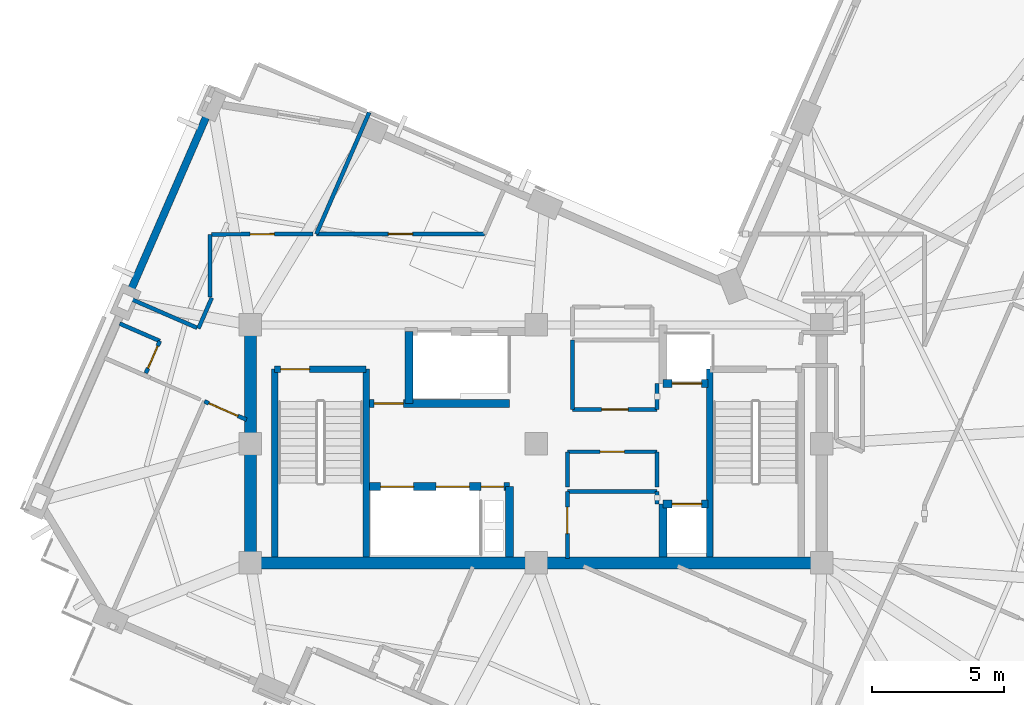
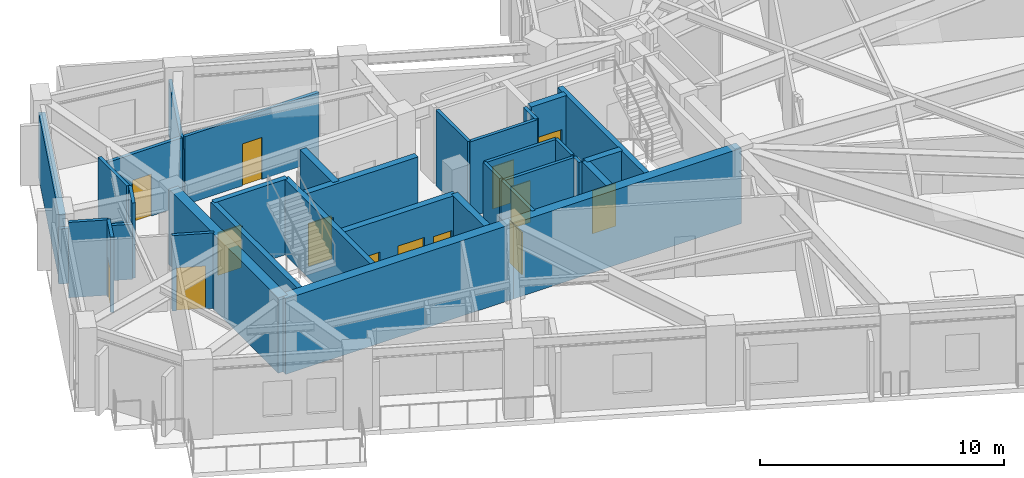
# One storey, part 5 of 12: 33 walls, 14 doors, 14 openings.
"""IFC4 building model written with IfcOpenShell, lengths in metres."""

from ifc_helpers import new_model, si_unit, direction, frame, frame_2d, origin, place, context, subcontext, project, spatial, rectangle, extrude, material, layer, layer_set, type_object, element, fill, save


model = new_model("IFC4")

# Units and contexts
model_context = context("Model", 3, precision=1e-05, world=origin(), true_north=direction((0.0, 1.0)))
body_context = subcontext(model_context, "Body", "Model", "MODEL_VIEW")
ifc_project = project(units=[si_unit("LENGTHUNIT", "METRE"), si_unit("AREAUNIT", "SQUARE_METRE"), si_unit("VOLUMEUNIT", "CUBIC_METRE"), si_unit("PLANEANGLEUNIT", "RADIAN"), si_unit("MASSUNIT", "GRAM", prefix="KILO")], contexts=[model_context])

# Site, building, storey
site_placement = place(None, origin())
site = spatial("IfcSite", under=ifc_project, at=site_placement, CompositionType="ELEMENT")
building_placement = place(site_placement, origin())
building = spatial("IfcBuilding", under=site, at=building_placement, Name="Gaonmaruhae Medical Tower", CompositionType="ELEMENT")
storey_placement = place(building_placement, frame((0.0, 0.0, 316.60009765625)))
storey = spatial("IfcBuildingStorey", under=building, at=storey_placement, Name="L76", CompositionType="ELEMENT", Elevation=316.60009765625)

# Walls
ifc_material_1 = material(Name="Concrete C50/60", Category="concrete")
ifc_layer_1 = layer(ifc_material_1, 0.449951171875)
ifc_layer_set_1 = layer_set([ifc_layer_1], Name="Concrete C50/60")
wall_type_1 = type_object("IfcWallType", Name="CW-450 Upper Core Shear Wall", PredefinedType="SHEAR", material=ifc_layer_set_1)
for number, where, z_axis, x_axis, name in (
    (1, (14.0, 7.800048828125, 0.0), (0.0, 0.0, 1.0), (1.0, 0.0, 0.0), "L76 Core Shear Wall CSW-S1"),
    (2, (24.800048828125, 7.800048828125, 0.0), (0.0, 0.0, 1.0), (1.0, 0.0, 0.0), "L76 Core Shear Wall CSW-S2"),
):
    element("IfcWall", number, at=place(storey_placement, frame(where, z_axis=z_axis, x_axis=x_axis)), inside=storey, type_object=wall_type_1, Name=name, PredefinedType="SHEAR", context=body_context, shape_type="SweptSolid", body=[
        extrude(rectangle(XDim=10.800048828125, YDim=0.449951171875, at=frame_2d((5.39990234375, 0.0))), origin(), (0.0, 0.0, 1.0), 3.77978515625),
    ])
wall_1_placement = place(storey_placement, frame((14.0, 16.800048828125, 0.0), z_axis=(0.0, 0.0, 1.0), x_axis=(0.0, -1.0, 0.0)))
element("IfcWall", 3, at=wall_1_placement, inside=storey, type_object=wall_type_1, Name="L76 Core Shear Wall CSW-W1", PredefinedType="SHEAR", context=body_context, shape_type="SweptSolid", body=[
    extrude(rectangle(XDim=9.0, YDim=0.449951171875, at=frame_2d((4.5, 0.0))), origin(), (0.0, 0.0, 1.0), 3.77978515625),
])
ifc_material_2 = material(Name="Precast concrete C45/55", Category="concrete")
ifc_layer_2 = layer(ifc_material_2, 0.280029296875)
ifc_layer_set_2 = layer_set([ifc_layer_2], Name="Precast concrete C45/55")
wall_type_2 = type_object("IfcWallType", Name="EW-280 Upper Precast Masonry-Frame Facade Wall", PredefinedType="SOLIDWALL", material=ifc_layer_set_2)
wall_2_placement = place(storey_placement, frame((9.44189453125, 18.01806640625, 0.0), z_axis=(0.0, 0.0, 1.0), x_axis=(0.398768305896, 0.917051709672, 0.0)))
element("IfcWall", 4, at=wall_2_placement, inside=storey, type_object=wall_type_2, Name="L76 Precast Masonry-Frame Wall N01-N02", PredefinedType="SOLIDWALL", context=body_context, shape_type="SweptSolid", body=[
    extrude(rectangle(XDim=7.405029296875, YDim=0.280029296875, at=frame_2d((3.70263671875, 0.0))), origin(), (0.0, 0.0, 1.0), 3.264892578125),
])

# Wall, opening, door
ifc_material_3 = material(Name="Gypsum board partition", Category="gypsum")
ifc_layer_3 = layer(ifc_material_3, 0.14990234375)
ifc_layer_set_3 = layer_set([ifc_layer_3], Name="Gypsum board partition")
wall_type_3 = type_object("IfcWallType", Name="PW-150 Rated Clinical Corridor Partition", PredefinedType="PARTITIONING", material=ifc_layer_set_3)
wall_3_placement = place(storey_placement, frame((25.97998046875, 7.9599609375, 0.0), z_axis=(0.0, 0.0, 1.0), x_axis=(0.0, 1.0, 0.0)))
wall_3 = element("IfcWall", 5, at=wall_3_placement, inside=storey, type_object=wall_type_3, Name="L76 Interior Partition L76-RCL1-1", PredefinedType="PARTITIONING", context=body_context, shape_type="SweptSolid", body=[
    extrude(rectangle(XDim=2.5400390625, YDim=0.14990234375, at=frame_2d((1.27001953125, 0.0))), origin(), (0.0, 0.0, 1.0), 3.77978515625),
])
opening_1_placement = place(wall_3_placement, frame((0.945068359375, 0.0, 0.0)))
opening_1 = element("IfcOpeningElement", 6, at=opening_1_placement, cuts=wall_3, Name="Opening CD-01", PredefinedType="OPENING", context=body_context, shape_type="SweptSolid", body=[
    extrude(rectangle(XDim=1.0, YDim=2.1201171875, at=frame_2d((0.5, 1.06005859375))), frame((0.0, 0.0849609375, 0.0), z_axis=(0.0, -1.0, 0.0), x_axis=(1.0, 0.0, 0.0)), (0.0, 0.0, 1.0), 0.169921875),
])
ifc_material_4 = material(Name="Antimicrobial laminate timber fire door", Category="wood")
door_type_1 = type_object("IfcDoorType", Name="CD-01 Consultation & Physician Office Door 1000x2120", OperationType="NOTDEFINED", PredefinedType="DOOR", material=ifc_material_4)
door_1_placement = place(opening_1_placement, origin())
door_1 = element("IfcDoor", 7, at=door_1_placement, inside=storey, type_object=door_type_1, Name="L76 Clinical Telemetry and Medication Room Door", OperationType="SINGLE_SWING_RIGHT", OverallHeight=2.1201171875, OverallWidth=1.0, PredefinedType="DOOR", context=body_context, shape_type="SweptSolid", body=[
    extrude(rectangle(XDim=1.0, YDim=2.1201171875, at=frame_2d((0.5, 1.06005859375))), frame((0.0, 0.02490234375, 0.0), z_axis=(0.0, -1.0, 0.0), x_axis=(1.0, 0.0, 0.0)), (0.0, 0.0, 1.0), 0.050048828125),
])
fill(opening_1, door_1)

# Walls
wall_4_placement = place(storey_placement, frame((25.97998046875, 10.5, 0.0), z_axis=(0.0, 0.0, 1.0), x_axis=(1.0, 0.0, 0.0)))
element("IfcWall", 8, at=wall_4_placement, inside=storey, type_object=wall_type_3, Name="L76 Interior Partition L76-RCL1-2", PredefinedType="PARTITIONING", context=body_context, shape_type="SweptSolid", body=[
    extrude(rectangle(XDim=3.39990234375, YDim=0.14990234375, at=frame_2d((1.699951171875, 0.0))), origin(), (0.0, 0.0, 1.0), 3.77978515625),
])
wall_5_placement = place(storey_placement, frame((29.3798828125, 10.5, 0.0), z_axis=(0.0, 0.0, 1.0), x_axis=(0.0, -1.0, 0.0)))
element("IfcWall", 9, at=wall_5_placement, inside=storey, type_object=wall_type_3, Name="L76 Interior Partition L76-RCL1-3", PredefinedType="PARTITIONING", context=body_context, shape_type="SweptSolid", body=[
    extrude(rectangle(XDim=0.47998046875, YDim=0.14990234375, at=frame_2d((0.239990234375, 0.0))), origin(), (0.0, 0.0, 1.0), 3.77978515625),
])
wall_6_placement = place(storey_placement, frame((25.97998046875, 10.659912109375, 0.0), z_axis=(0.0, 0.0, 1.0), x_axis=(0.0, 1.0, 0.0)))
element("IfcWall", 10, at=wall_6_placement, inside=storey, type_object=wall_type_3, Name="L76 Interior Partition L76-CS1-4", PredefinedType="PARTITIONING", context=body_context, shape_type="SweptSolid", body=[
    extrude(rectangle(XDim=1.340087890625, YDim=0.14990234375, at=frame_2d((0.669921875, 0.0))), origin(), (0.0, 0.0, 1.0), 3.77978515625),
])

# Wall, opening, door
wall_7_placement = place(storey_placement, frame((25.97998046875, 12.0, 0.0), z_axis=(0.0, 0.0, 1.0), x_axis=(1.0, 0.0, 0.0)))
wall_7 = element("IfcWall", 11, at=wall_7_placement, inside=storey, type_object=wall_type_3, Name="L76 Interior Partition L76-CS1-5", PredefinedType="PARTITIONING", context=body_context, shape_type="SweptSolid", body=[
    extrude(rectangle(XDim=3.39990234375, YDim=0.14990234375, at=frame_2d((1.699951171875, 0.0))), origin(), (0.0, 0.0, 1.0), 3.77978515625),
])
opening_2_placement = place(wall_7_placement, frame((1.239990234375, 0.0, 0.0)))
opening_2 = element("IfcOpeningElement", 12, at=opening_2_placement, cuts=wall_7, Name="Opening UD-01", PredefinedType="OPENING", context=body_context, shape_type="SweptSolid", body=[
    extrude(rectangle(XDim=0.919921875, YDim=2.10009765625, at=frame_2d((0.4599609375, 1.050048828125))), frame((0.0, 0.0849609375, 0.0), z_axis=(0.0, -1.0, 0.0), x_axis=(1.0, 0.0, 0.0)), (0.0, 0.0, 1.0), 0.169921875),
])
ifc_material_5 = material(Name="Powder-coated steel utility door", Category="steel")
door_type_2 = type_object("IfcDoorType", Name="UD-01 Toilet, Utility & Housekeeping Door 920x2100", OperationType="NOTDEFINED", PredefinedType="DOOR", material=ifc_material_5)
door_2_placement = place(opening_2_placement, origin())
door_2 = element("IfcDoor", 13, at=door_2_placement, inside=storey, type_object=door_type_2, Name="L76 Accessible Staff Toilet Door", OperationType="SINGLE_SWING_LEFT", OverallHeight=2.10009765625, OverallWidth=0.919921875, PredefinedType="DOOR", context=body_context, shape_type="SweptSolid", body=[
    extrude(rectangle(XDim=0.919921875, YDim=2.10009765625, at=frame_2d((0.4599609375, 1.050048828125))), frame((0.0, 0.02490234375, 0.0), z_axis=(0.0, -1.0, 0.0), x_axis=(1.0, 0.0, 0.0)), (0.0, 0.0, 1.0), 0.050048828125),
])
fill(opening_2, door_2)

# Walls
wall_8_placement = place(storey_placement, frame((29.3798828125, 12.0, 0.0), z_axis=(0.0, 0.0, 1.0), x_axis=(0.0, -1.0, 0.0)))
element("IfcWall", 14, at=wall_8_placement, inside=storey, type_object=wall_type_3, Name="L76 Interior Partition L76-CS1-6", PredefinedType="PARTITIONING", context=body_context, shape_type="SweptSolid", body=[
    extrude(rectangle(XDim=1.340087890625, YDim=0.14990234375, at=frame_2d((0.669921875, 0.0))), origin(), (0.0, 0.0, 1.0), 3.77978515625),
])
wall_9_placement = place(storey_placement, frame((26.179931640625, 13.60009765625, 0.0), z_axis=(0.0, 0.0, 1.0), x_axis=(0.0, 1.0, 0.0)))
element("IfcWall", 15, at=wall_9_placement, inside=storey, type_object=wall_type_3, Name="L76 Interior Partition L76-RCL2-7", PredefinedType="PARTITIONING", context=body_context, shape_type="SweptSolid", body=[
    extrude(rectangle(XDim=2.619873046875, YDim=0.14990234375, at=frame_2d((1.31005859375, 0.0))), origin(), (0.0, 0.0, 1.0), 3.77978515625),
])
wall_10_placement = place(storey_placement, frame((29.3798828125, 14.580078125, 0.0), z_axis=(0.0, 0.0, 1.0), x_axis=(0.0, -1.0, 0.0)))
element("IfcWall", 16, at=wall_10_placement, inside=storey, type_object=wall_type_3, Name="L76 Interior Partition L76-RCL2-9", PredefinedType="PARTITIONING", context=body_context, shape_type="SweptSolid", body=[
    extrude(rectangle(XDim=0.97998046875, YDim=0.14990234375, at=frame_2d((0.489990234375, 0.0))), origin(), (0.0, 0.0, 1.0), 3.77978515625),
])

# Wall, opening, door
wall_11_placement = place(storey_placement, frame((29.3798828125, 13.60009765625, 0.0), z_axis=(0.0, 0.0, 1.0), x_axis=(-1.0, 0.0, 0.0)))
wall_11 = element("IfcWall", 17, at=wall_11_placement, inside=storey, type_object=wall_type_3, Name="L76 Interior Partition L76-RCL2-10", PredefinedType="PARTITIONING", context=body_context, shape_type="SweptSolid", body=[
    extrude(rectangle(XDim=3.199951171875, YDim=0.14990234375, at=frame_2d((1.60009765625, 0.0))), origin(), (0.0, 0.0, 1.0), 3.77978515625),
])
opening_3_placement = place(wall_11_placement, frame((1.10009765625, 0.0, 0.0)))
opening_3 = element("IfcOpeningElement", 18, at=opening_3_placement, cuts=wall_11, Name="Opening CD-01", PredefinedType="OPENING", context=body_context, shape_type="SweptSolid", body=[
    extrude(rectangle(XDim=1.0, YDim=2.1201171875, at=frame_2d((0.5, 1.06005859375))), frame((0.0, 0.0849609375, 0.0), z_axis=(0.0, -1.0, 0.0), x_axis=(1.0, 0.0, 0.0)), (0.0, 0.0, 1.0), 0.169921875),
])
door_3_placement = place(opening_3_placement, origin())
door_3 = element("IfcDoor", 19, at=door_3_placement, inside=storey, type_object=door_type_1, Name="L76 High-Zone Specialist Pharmacy Prep Room Door", OperationType="SINGLE_SWING_LEFT", OverallHeight=2.1201171875, OverallWidth=1.0, PredefinedType="DOOR", context=body_context, shape_type="SweptSolid", body=[
    extrude(rectangle(XDim=1.0, YDim=2.1201171875, at=frame_2d((0.5, 1.06005859375))), frame((0.0, 0.02490234375, 0.0), z_axis=(0.0, -1.0, 0.0), x_axis=(1.0, 0.0, 0.0)), (0.0, 0.0, 1.0), 0.050048828125),
])
fill(opening_3, door_3)

wall_12_placement = place(storey_placement, frame((12.260986328125, 13.905029296875, 0.0), z_axis=(0.0, 0.0, 1.0), x_axis=(0.91708123515, -0.398700398965, 0.0)))
wall_12 = element("IfcWall", 20, at=wall_12_placement, inside=storey, type_object=wall_type_3, Name="L76 Interior Partition L76-WOF06-47", PredefinedType="PARTITIONING", context=body_context, shape_type="SweptSolid", body=[
    extrude(rectangle(XDim=1.736083984375, YDim=0.14990234375, at=frame_2d((0.8681640625, 0.0))), origin(), (0.0, 0.0, 1.0), 3.77978515625),
])
opening_4_placement = place(wall_12_placement, frame((0.184326171875, 0.0, 0.0)))
opening_4 = element("IfcOpeningElement", 21, at=opening_4_placement, cuts=wall_12, Name="Opening CD-02", PredefinedType="OPENING", context=body_context, shape_type="SweptSolid", body=[
    extrude(rectangle(XDim=1.199951171875, YDim=2.14990234375, at=frame_2d((0.60009765625, 1.074951171875))), frame((0.0, 0.0849609375, 0.0), z_axis=(0.0, -1.0, 0.0), x_axis=(1.0, 0.0, 0.0)), (0.0, 0.0, 1.0), 0.169921875),
])
door_type_3 = type_object("IfcDoorType", Name="CD-02 Clinical Treatment & Procedure Door 1200x2150", OperationType="NOTDEFINED", PredefinedType="DOOR", material=ifc_material_4)
door_4_placement = place(opening_4_placement, origin())
door_4 = element("IfcDoor", 22, at=door_4_placement, inside=storey, type_object=door_type_3, Name="L76 Ward Physician Reporting Office Door", OperationType="SINGLE_SWING_LEFT", OverallHeight=2.14990234375, OverallWidth=1.199951171875, PredefinedType="DOOR", context=body_context, shape_type="SweptSolid", body=[
    extrude(rectangle(XDim=1.199951171875, YDim=2.14990234375, at=frame_2d((0.60009765625, 1.074951171875))), frame((0.0, 0.02490234375, 0.0), z_axis=(0.0, -1.0, 0.0), x_axis=(1.0, 0.0, 0.0)), (0.0, 0.0, 1.0), 0.050048828125),
])
fill(opening_4, door_4)

wall_13_placement = place(storey_placement, frame((22.85107421875, 20.22998046875, 0.0), z_axis=(0.0, 0.0, 1.0), x_axis=(-1.0, 0.0, 0.0)))
wall_13 = element("IfcWall", 23, at=wall_13_placement, inside=storey, type_object=wall_type_3, Name="L76 Interior Partition L76-IN02-74", PredefinedType="PARTITIONING", context=body_context, shape_type="SweptSolid", body=[
    extrude(rectangle(XDim=6.357177734375, YDim=0.14990234375, at=frame_2d((3.1787109375, 0.0))), origin(), (0.0, 0.0, 1.0), 3.414794921875),
])
opening_5_placement = place(wall_13_placement, frame((2.718505859375, 0.0, 0.0)))
opening_5 = element("IfcOpeningElement", 24, at=opening_5_placement, cuts=wall_13, Name="Opening UD-01", PredefinedType="OPENING", context=body_context, shape_type="SweptSolid", body=[
    extrude(rectangle(XDim=0.919921875, YDim=2.10009765625, at=frame_2d((0.4599609375, 1.050048828125))), frame((0.0, 0.0849609375, 0.0), z_axis=(0.0, -1.0, 0.0), x_axis=(1.0, 0.0, 0.0)), (0.0, 0.0, 1.0), 0.169921875),
])
door_5_placement = place(opening_5_placement, origin())
door_5 = element("IfcDoor", 25, at=door_5_placement, inside=storey, type_object=door_type_2, Name="L76 Ward Nutrition Pantry Door", OperationType="SINGLE_SWING_RIGHT", OverallHeight=2.10009765625, OverallWidth=0.919921875, PredefinedType="DOOR", context=body_context, shape_type="SweptSolid", body=[
    extrude(rectangle(XDim=0.919921875, YDim=2.10009765625, at=frame_2d((0.4599609375, 1.050048828125))), frame((0.0, 0.02490234375, 0.0), z_axis=(0.0, -1.0, 0.0), x_axis=(1.0, 0.0, 0.0)), (0.0, 0.0, 1.0), 0.050048828125),
])
fill(opening_5, door_5)

# Walls
wall_14_placement = place(storey_placement, frame((16.493896484375, 20.22998046875, 0.0), z_axis=(0.0, 0.0, 1.0), x_axis=(0.398694046718, 0.917083996759, 0.0)))
element("IfcWall", 26, at=wall_14_placement, inside=storey, type_object=wall_type_3, Name="L76 Interior Partition L76-IN02-75", PredefinedType="PARTITIONING", context=body_context, shape_type="SweptSolid", body=[
    extrude(rectangle(XDim=5.011474609375, YDim=0.14990234375, at=frame_2d((2.505859375, 0.0))), origin(), (0.0, 0.0, 1.0), 2.764892578125),
])
wall_15_placement = place(storey_placement, frame((12.47900390625, 20.220947265625, 0.0), z_axis=(0.0, 0.0, 1.0), x_axis=(-0.003810084589, -0.999992741601, 0.0)))
element("IfcWall", 27, at=wall_15_placement, inside=storey, type_object=wall_type_3, Name="L76 Interior Partition L76-IN03-79", PredefinedType="PARTITIONING", context=body_context, shape_type="SweptSolid", body=[
    extrude(rectangle(XDim=2.370849609375, YDim=0.14990234375, at=frame_2d((1.185546875, 0.0))), origin(), (0.0, 0.0, 1.0), 3.77978515625),
])
wall_16_placement = place(storey_placement, frame((12.5400390625, 17.820068359375, 0.0), z_axis=(0.0, 0.0, 1.0), x_axis=(-0.398655347011, -0.917100820139, 0.0)))
element("IfcWall", 28, at=wall_16_placement, inside=storey, type_object=wall_type_3, Name="L76 Interior Partition L76-IN03-80", PredefinedType="PARTITIONING", context=body_context, shape_type="SweptSolid", body=[
    extrude(rectangle(XDim=1.261474609375, YDim=0.14990234375, at=frame_2d((0.630859375, 0.0))), origin(), (0.0, 0.0, 1.0), 3.77978515625),
])
wall_17_placement = place(storey_placement, frame((11.990966796875, 16.68310546875, 0.0), z_axis=(0.0, 0.0, 1.0), x_axis=(-0.917068787669, 0.398729029146, 0.0)))
element("IfcWall", 29, at=wall_17_placement, inside=storey, type_object=wall_type_3, Name="L76 Interior Partition L76-IN03-81", PredefinedType="PARTITIONING", context=body_context, shape_type="SweptSolid", body=[
    extrude(rectangle(XDim=3.0595703125, YDim=0.14990234375, at=frame_2d((1.52978515625, 0.0))), origin(), (0.0, 0.0, 1.0), 2.764892578125),
])

# Wall, opening, door
wall_18_placement = place(storey_placement, frame((16.363037109375, 20.22998046875, 0.0), z_axis=(0.0, 0.0, 1.0), x_axis=(-0.999997224437, -0.002356081082, 0.0)))
wall_18 = element("IfcWall", 30, at=wall_18_placement, inside=storey, type_object=wall_type_3, Name="L76 Interior Partition L76-IN03-86", PredefinedType="PARTITIONING", context=body_context, shape_type="SweptSolid", body=[
    extrude(rectangle(XDim=3.833984375, YDim=0.14990234375, at=frame_2d((1.9169921875, 0.0))), origin(), (0.0, 0.0, 1.0), 3.414794921875),
])
opening_6_placement = place(wall_18_placement, frame((1.45703125, 0.0, 0.0)))
opening_6 = element("IfcOpeningElement", 31, at=opening_6_placement, cuts=wall_18, Name="Opening UD-01", PredefinedType="OPENING", context=body_context, shape_type="SweptSolid", body=[
    extrude(rectangle(XDim=0.919921875, YDim=2.10009765625, at=frame_2d((0.4599609375, 1.050048828125))), frame((0.0, 0.0849609375, 0.0), z_axis=(0.0, -1.0, 0.0), x_axis=(1.0, 0.0, 0.0)), (0.0, 0.0, 1.0), 0.169921875),
])
door_6_placement = place(opening_6_placement, origin())
door_6 = element("IfcDoor", 32, at=door_6_placement, inside=storey, type_object=door_type_2, Name="L76 Public Visitor Toilet Door", OperationType="SINGLE_SWING_RIGHT", OverallHeight=2.10009765625, OverallWidth=0.919921875, PredefinedType="DOOR", context=body_context, shape_type="SweptSolid", body=[
    extrude(rectangle(XDim=0.919921875, YDim=2.10009765625, at=frame_2d((0.4599609375, 1.050048828125))), frame((0.0, 0.02490234375, 0.0), z_axis=(0.0, -1.0, 0.0), x_axis=(1.0, 0.0, 0.0)), (0.0, 0.0, 1.0), 0.050048828125),
])
fill(opening_6, door_6)

# Wall
wall_19_placement = place(storey_placement, frame((9.05810546875, 16.846923828125, 0.0), z_axis=(0.0, 0.0, 1.0), x_axis=(0.916856565806, -0.399216780382, 0.0)))
element("IfcWall", 33, at=wall_19_placement, inside=storey, type_object=wall_type_3, Name="L76 Interior Partition L76-RM02-90", PredefinedType="PARTITIONING", context=body_context, shape_type="SweptSolid", body=[
    extrude(rectangle(XDim=1.655517578125, YDim=0.14990234375, at=frame_2d((0.82763671875, 0.0))), origin(), (0.0, 0.0, 1.0), 3.77978515625),
])

# Wall, opening, door
wall_20_placement = place(storey_placement, frame((10.575927734375, 16.18603515625, 0.0), z_axis=(0.0, 0.0, 1.0), x_axis=(-0.39896901737, -0.916964406713, 0.0)))
wall_20 = element("IfcWall", 34, at=wall_20_placement, inside=storey, type_object=wall_type_3, Name="L76 Interior Partition L76-RM02-91", PredefinedType="PARTITIONING", context=body_context, shape_type="SweptSolid", body=[
    extrude(rectangle(XDim=1.322998046875, YDim=0.14990234375, at=frame_2d((0.66162109375, 0.0))), origin(), (0.0, 0.0, 1.0), 3.77978515625),
])
opening_7_placement = place(wall_20_placement, frame((0.201416015625, 0.0, 0.0)))
opening_7 = element("IfcOpeningElement", 35, at=opening_7_placement, cuts=wall_20, Name="Opening UD-01", PredefinedType="OPENING", context=body_context, shape_type="SweptSolid", body=[
    extrude(rectangle(XDim=0.919921875, YDim=2.10009765625, at=frame_2d((0.4599609375, 1.050048828125))), frame((0.0, 0.0849609375, 0.0), z_axis=(0.0, -1.0, 0.0), x_axis=(1.0, 0.0, 0.0)), (0.0, 0.0, 1.0), 0.169921875),
])
door_7_placement = place(opening_7_placement, origin())
door_7 = element("IfcDoor", 36, at=door_7_placement, inside=storey, type_object=door_type_2, Name="L76 Care Team Clinical Charting Office Door", OperationType="SINGLE_SWING_LEFT", OverallHeight=2.10009765625, OverallWidth=0.919921875, PredefinedType="DOOR", context=body_context, shape_type="SweptSolid", body=[
    extrude(rectangle(XDim=0.919921875, YDim=2.10009765625, at=frame_2d((0.4599609375, 1.050048828125))), frame((0.0, 0.02490234375, 0.0), z_axis=(0.0, -1.0, 0.0), x_axis=(1.0, 0.0, 0.0)), (0.0, 0.0, 1.0), 0.050048828125),
])
fill(opening_7, door_7)

ifc_layer_4 = layer(ifc_material_1, 0.239990234375)
ifc_layer_set_4 = layer_set([ifc_layer_4], Name="Concrete C50/60")
wall_type_4 = type_object("IfcWallType", Name="SW-240 Dogleg Stair Tight Shaft Wall", PredefinedType="SOLIDWALL", material=ifc_layer_set_4)
wall_21_placement = place(storey_placement, frame((14.919921875, 15.1201171875, 0.0), z_axis=(0.0, 0.0, 1.0), x_axis=(1.0, 0.0, 0.0)))
wall_21 = element("IfcWall", 37, at=wall_21_placement, inside=storey, type_object=wall_type_4, Name="L76 ST-01 Stair Shaft Wall SHW-ST-01-N", PredefinedType="SOLIDWALL", context=body_context, shape_type="SweptSolid", body=[
    extrude(rectangle(XDim=3.4599609375, YDim=0.239990234375, at=frame_2d((1.72998046875, 0.0))), origin(), (0.0, 0.0, 1.0), 3.77978515625),
])
opening_8_placement = place(wall_21_placement, frame((0.219970703125, 0.0, 0.0)))
opening_8 = element("IfcOpeningElement", 38, at=opening_8_placement, cuts=wall_21, Name="Opening FD-01", PredefinedType="OPENING", context=body_context, shape_type="SweptSolid", body=[
    extrude(rectangle(XDim=1.10009765625, YDim=2.14990234375, at=frame_2d((0.550048828125, 1.074951171875))), frame((0.0, 0.1298828125, 0.0), z_axis=(0.0, -1.0, 0.0), x_axis=(1.0, 0.0, 0.0)), (0.0, 0.0, 1.0), 0.260009765625),
])
ifc_material_6 = material(Name="Powder-coated steel fire door", Category="steel")
door_type_4 = type_object("IfcDoorType", Name="FD-01 Escape Stair Protected Fire Door 1100x2150", OperationType="NOTDEFINED", PredefinedType="DOOR", material=ifc_material_6)
door_8_placement = place(opening_8_placement, origin())
door_8 = element("IfcDoor", 39, at=door_8_placement, inside=storey, type_object=door_type_4, Name="L76 ST-01 Protected Escape Stair Door", OperationType="SINGLE_SWING_RIGHT", OverallHeight=2.14990234375, OverallWidth=1.10009765625, PredefinedType="DOOR", context=body_context, shape_type="SweptSolid", body=[
    extrude(rectangle(XDim=1.10009765625, YDim=2.14990234375, at=frame_2d((0.550048828125, 1.074951171875))), frame((0.0, 0.02490234375, 0.0), z_axis=(0.0, -1.0, 0.0), x_axis=(1.0, 0.0, 0.0)), (0.0, 0.0, 1.0), 0.050048828125),
])
fill(opening_8, door_8)

# Walls
for number, where, z_axis, x_axis, name in (
    (40, (18.3798828125, 15.1201171875, 0.0), (0.0, 0.0, 1.0), (0.0, -1.0, 0.0), "L76 ST-01 Stair Shaft Wall SHW-ST-01-E"),
    (41, (14.919921875, 8.02490234375, 0.0), (0.0, 0.0, 1.0), (0.0, 1.0, 0.0), "L76 ST-01 Stair Shaft Wall SHW-ST-01-W"),
    (42, (31.3701171875, 8.02490234375, 0.0), (0.0, 0.0, 1.0), (0.0, 1.0, 0.0), "L76 ST-02 Stair Shaft Wall SHW-ST-02-W"),
):
    element("IfcWall", number, at=place(storey_placement, frame(where, z_axis=z_axis, x_axis=x_axis)), inside=storey, type_object=wall_type_4, Name=name, PredefinedType="SOLIDWALL", context=body_context, shape_type="SweptSolid", body=[
        extrude(rectangle(XDim=7.09521484375, YDim=0.239990234375, at=frame_2d((3.547607421875, 0.0))), origin(), (0.0, 0.0, 1.0), 3.77978515625),
    ])

# Wall, openings, doors
ifc_layer_5 = layer(ifc_material_1, 0.300048828125)
ifc_layer_set_5 = layer_set([ifc_layer_5], Name="Concrete C50/60")
wall_type_5 = type_object("IfcWallType", Name="SW-300 Stair & Lift Hoistway Shaft Wall", PredefinedType="SOLIDWALL", material=ifc_layer_set_5)
wall_22_placement = place(storey_placement, frame((18.5, 10.679931640625, 0.0), z_axis=(0.0, 0.0, 1.0), x_axis=(1.0, 0.0, 0.0)))
wall_22 = element("IfcWall", 43, at=wall_22_placement, inside=storey, type_object=wall_type_5, Name="L76 Shaft Enclosure Wall SHW-FFN", PredefinedType="SOLIDWALL", context=body_context, shape_type="SweptSolid", body=[
    extrude(rectangle(XDim=5.300048828125, YDim=0.300048828125, at=frame_2d((2.64990234375, 0.0))), origin(), (0.0, 0.0, 1.0), 3.77978515625),
])
opening_9_placement = place(wall_22_placement, frame((4.219970703125, 0.0, 0.0)))
opening_9 = element("IfcOpeningElement", 44, at=opening_9_placement, cuts=wall_22, Name="Opening AD-01", PredefinedType="OPENING", context=body_context, shape_type="SweptSolid", body=[
    extrude(rectangle(XDim=0.860107421875, YDim=2.06005859375, at=frame_2d((0.43017578125, 1.030029296875))), frame((0.0, 0.16015625, 0.0), z_axis=(0.0, -1.0, 0.0), x_axis=(1.0, 0.0, 0.0)), (0.0, 0.0, 1.0), 0.320068359375),
])
opening_10_placement = place(wall_22_placement, frame((0.425048828125, 0.0, 0.0)))
opening_10 = element("IfcOpeningElement", 45, at=opening_10_placement, cuts=wall_22, Name="Opening LD-F1", PredefinedType="OPENING", context=body_context, shape_type="SweptSolid", body=[
    extrude(rectangle(XDim=1.25, YDim=2.179931640625, at=frame_2d((0.625, 1.08984375))), frame((0.0, 0.16015625, 0.0), z_axis=(0.0, -1.0, 0.0), x_axis=(1.0, 0.0, 0.0)), (0.0, 0.0, 1.0), 0.320068359375),
])
opening_11_placement = place(wall_22_placement, frame((2.52490234375, 0.0, 0.0)))
opening_11 = element("IfcOpeningElement", 46, at=opening_11_placement, cuts=wall_22, Name="Opening LD-F1", PredefinedType="OPENING", context=body_context, shape_type="SweptSolid", body=[
    extrude(rectangle(XDim=1.25, YDim=2.179931640625, at=frame_2d((0.625, 1.08984375))), frame((0.0, 0.16015625, 0.0), z_axis=(0.0, -1.0, 0.0), x_axis=(1.0, 0.0, 0.0)), (0.0, 0.0, 1.0), 0.320068359375),
])
ifc_material_7 = material(Name="Powder-coated steel access door", Category="steel")
door_type_5 = type_object("IfcDoorType", Name="AD-01 Riser & Closet Access Fire Door 860x2060", OperationType="NOTDEFINED", PredefinedType="DOOR", material=ifc_material_7)
door_9_placement = place(opening_9_placement, origin())
door_9 = element("IfcDoor", 47, at=door_9_placement, inside=storey, type_object=door_type_5, Name="L76 Medical Gas and MEP Riser Access Door", OperationType="SINGLE_SWING_RIGHT", OverallHeight=2.06005859375, OverallWidth=0.860107421875, PredefinedType="DOOR", context=body_context, shape_type="SweptSolid", body=[
    extrude(rectangle(XDim=0.860107421875, YDim=2.06005859375, at=frame_2d((0.43017578125, 1.030029296875))), frame((0.0, 0.02490234375, 0.0), z_axis=(0.0, -1.0, 0.0), x_axis=(1.0, 0.0, 0.0)), (0.0, 0.0, 1.0), 0.050048828125),
])
fill(opening_9, door_9)
ifc_material_8 = material(Name="Brushed stainless steel 316L landing door", Category="steel")
door_type_6 = type_object("IfcDoorType", Name="LD-F1 Firefighting & Bed Lift Sliding Landing Door 1250x2180", OperationType="NOTDEFINED", PredefinedType="DOOR", material=ifc_material_8)
door_10_placement = place(opening_10_placement, origin())
door_10 = element("IfcDoor", 48, at=door_10_placement, inside=storey, type_object=door_type_6, Name="L76 Firefighting Lift Landing Door FFL-01", OperationType="DOUBLE_DOOR_SLIDING", OverallHeight=2.179931640625, OverallWidth=1.25, PredefinedType="DOOR", context=body_context, shape_type="SweptSolid", body=[
    extrude(rectangle(XDim=1.25, YDim=2.179931640625, at=frame_2d((0.625, 1.08984375))), frame((0.0, 0.02490234375, 0.0), z_axis=(0.0, -1.0, 0.0), x_axis=(1.0, 0.0, 0.0)), (0.0, 0.0, 1.0), 0.050048828125),
])
fill(opening_10, door_10)
door_11_placement = place(opening_11_placement, origin())
door_11 = element("IfcDoor", 49, at=door_11_placement, inside=storey, type_object=door_type_6, Name="L76 Firefighting Lift Landing Door FFL-02", OperationType="DOUBLE_DOOR_SLIDING", OverallHeight=2.179931640625, OverallWidth=1.25, PredefinedType="DOOR", context=body_context, shape_type="SweptSolid", body=[
    extrude(rectangle(XDim=1.25, YDim=2.179931640625, at=frame_2d((0.625, 1.08984375))), frame((0.0, 0.02490234375, 0.0), z_axis=(0.0, -1.0, 0.0), x_axis=(1.0, 0.0, 0.0)), (0.0, 0.0, 1.0), 0.050048828125),
])
fill(opening_11, door_11)

# Wall, opening, door
wall_23_placement = place(storey_placement, frame((18.5, 13.820068359375, 0.0), z_axis=(0.0, 0.0, 1.0), x_axis=(1.0, 0.0, 0.0)))
wall_23 = element("IfcWall", 50, at=wall_23_placement, inside=storey, type_object=wall_type_5, Name="L76 Shaft Enclosure Wall SHW-FFL", PredefinedType="SOLIDWALL", context=body_context, shape_type="SweptSolid", body=[
    extrude(rectangle(XDim=5.300048828125, YDim=0.300048828125, at=frame_2d((2.64990234375, 0.0))), origin(), (0.0, 0.0, 1.0), 3.77978515625),
])
opening_12_placement = place(wall_23_placement, frame((0.179931640625, 0.0, 0.0)))
opening_12 = element("IfcOpeningElement", 51, at=opening_12_placement, cuts=wall_23, Name="Opening FD-01", PredefinedType="OPENING", context=body_context, shape_type="SweptSolid", body=[
    extrude(rectangle(XDim=1.10009765625, YDim=2.14990234375, at=frame_2d((0.550048828125, 1.074951171875))), frame((0.0, 0.16015625, 0.0), z_axis=(0.0, -1.0, 0.0), x_axis=(1.0, 0.0, 0.0)), (0.0, 0.0, 1.0), 0.320068359375),
])
door_12_placement = place(opening_12_placement, origin())
door_12 = element("IfcDoor", 52, at=door_12_placement, inside=storey, type_object=door_type_4, Name="L76 Firefighting Lobby Smoke Door", OperationType="SINGLE_SWING_LEFT", OverallHeight=2.14990234375, OverallWidth=1.10009765625, PredefinedType="DOOR", context=body_context, shape_type="SweptSolid", body=[
    extrude(rectangle(XDim=1.10009765625, YDim=2.14990234375, at=frame_2d((0.550048828125, 1.074951171875))), frame((0.0, 0.02490234375, 0.0), z_axis=(0.0, -1.0, 0.0), x_axis=(1.0, 0.0, 0.0)), (0.0, 0.0, 1.0), 0.050048828125),
])
fill(opening_12, door_12)

# Walls
wall_24_placement = place(storey_placement, frame((23.800048828125, 8.02490234375, 0.0), z_axis=(0.0, 0.0, 1.0), x_axis=(0.0, 1.0, 0.0)))
element("IfcWall", 53, at=wall_24_placement, inside=storey, type_object=wall_type_5, Name="L76 Shaft Enclosure Wall SHW-FFE", PredefinedType="SOLIDWALL", context=body_context, shape_type="SweptSolid", body=[
    extrude(rectangle(XDim=2.655029296875, YDim=0.300048828125, at=frame_2d((1.32763671875, 0.0))), origin(), (0.0, 0.0, 1.0), 3.77978515625),
])
wall_25_placement = place(storey_placement, frame((20.0, 13.820068359375, 0.0), z_axis=(0.0, 0.0, 1.0), x_axis=(0.0, 1.0, 0.0)))
element("IfcWall", 54, at=wall_25_placement, inside=storey, type_object=wall_type_5, Name="L76 Shaft Enclosure Wall SHW-BDW", PredefinedType="SOLIDWALL", context=body_context, shape_type="SweptSolid", body=[
    extrude(rectangle(XDim=2.72998046875, YDim=0.300048828125, at=frame_2d((1.364990234375, 0.0))), origin(), (0.0, 0.0, 1.0), 3.77978515625),
])

# Wall, opening, door
wall_26_placement = place(storey_placement, frame((29.60009765625, 10.02001953125, 0.0), z_axis=(0.0, 0.0, 1.0), x_axis=(1.0, 0.0, 0.0)))
wall_26 = element("IfcWall", 55, at=wall_26_placement, inside=storey, type_object=wall_type_5, Name="L76 Shaft Enclosure Wall SHW-PLS", PredefinedType="SOLIDWALL", context=body_context, shape_type="SweptSolid", body=[
    extrude(rectangle(XDim=1.699951171875, YDim=0.300048828125, at=frame_2d((0.85009765625, 0.0))), origin(), (0.0, 0.0, 1.0), 3.77978515625),
])
opening_13_placement = place(wall_26_placement, frame((0.340087890625, 0.0, 0.0)))
opening_13 = element("IfcOpeningElement", 56, at=opening_13_placement, cuts=wall_26, Name="Opening LD-P1", PredefinedType="OPENING", context=body_context, shape_type="SweptSolid", body=[
    extrude(rectangle(XDim=1.1201171875, YDim=2.14990234375, at=frame_2d((0.56005859375, 1.074951171875))), frame((0.0, 0.16015625, 0.0), z_axis=(0.0, -1.0, 0.0), x_axis=(1.0, 0.0, 0.0)), (0.0, 0.0, 1.0), 0.320068359375),
])
ifc_material_9 = material(Name="Brushed stainless steel 304 landing door", Category="steel")
door_type_7 = type_object("IfcDoorType", Name="LD-P1 Passenger Lift Sliding Landing Door 1120x2150", OperationType="NOTDEFINED", PredefinedType="DOOR", material=ifc_material_9)
door_13_placement = place(opening_13_placement, origin())
door_13 = element("IfcDoor", 57, at=door_13_placement, inside=storey, type_object=door_type_7, Name="L76 Passenger Lift Landing Door PL-H1", OperationType="DOUBLE_DOOR_SLIDING", OverallHeight=2.14990234375, OverallWidth=1.1201171875, PredefinedType="DOOR", context=body_context, shape_type="SweptSolid", body=[
    extrude(rectangle(XDim=1.1201171875, YDim=2.14990234375, at=frame_2d((0.56005859375, 1.074951171875))), frame((0.0, 0.02490234375, 0.0), z_axis=(0.0, -1.0, 0.0), x_axis=(1.0, 0.0, 0.0)), (0.0, 0.0, 1.0), 0.050048828125),
])
fill(opening_13, door_13)

# Wall
wall_27_placement = place(storey_placement, frame((29.60009765625, 8.02490234375, 0.0), z_axis=(0.0, 0.0, 1.0), x_axis=(0.0, 1.0, 0.0)))
element("IfcWall", 58, at=wall_27_placement, inside=storey, type_object=wall_type_5, Name="L76 Shaft Enclosure Wall SHW-PLD1", PredefinedType="SOLIDWALL", context=body_context, shape_type="SweptSolid", body=[
    extrude(rectangle(XDim=1.9951171875, YDim=0.300048828125, at=frame_2d((0.99755859375, 0.0))), origin(), (0.0, 0.0, 1.0), 3.77978515625),
])

# Wall, opening, door
wall_28_placement = place(storey_placement, frame((29.60009765625, 14.580078125, 0.0), z_axis=(0.0, 0.0, 1.0), x_axis=(1.0, 0.0, 0.0)))
wall_28 = element("IfcWall", 59, at=wall_28_placement, inside=storey, type_object=wall_type_5, Name="L76 Shaft Enclosure Wall SHW-PLN", PredefinedType="SOLIDWALL", context=body_context, shape_type="SweptSolid", body=[
    extrude(rectangle(XDim=1.699951171875, YDim=0.300048828125, at=frame_2d((0.85009765625, 0.0))), origin(), (0.0, 0.0, 1.0), 3.77978515625),
])
opening_14_placement = place(wall_28_placement, frame((0.340087890625, 0.0, 0.0)))
opening_14 = element("IfcOpeningElement", 60, at=opening_14_placement, cuts=wall_28, Name="Opening LD-P1", PredefinedType="OPENING", context=body_context, shape_type="SweptSolid", body=[
    extrude(rectangle(XDim=1.1201171875, YDim=2.14990234375, at=frame_2d((0.56005859375, 1.074951171875))), frame((0.0, 0.16015625, 0.0), z_axis=(0.0, -1.0, 0.0), x_axis=(1.0, 0.0, 0.0)), (0.0, 0.0, 1.0), 0.320068359375),
])
door_14_placement = place(opening_14_placement, origin())
door_14 = element("IfcDoor", 61, at=door_14_placement, inside=storey, type_object=door_type_7, Name="L76 Passenger Lift Landing Door PL-H2", OperationType="DOUBLE_DOOR_SLIDING", OverallHeight=2.14990234375, OverallWidth=1.1201171875, PredefinedType="DOOR", context=body_context, shape_type="SweptSolid", body=[
    extrude(rectangle(XDim=1.1201171875, YDim=2.14990234375, at=frame_2d((0.56005859375, 1.074951171875))), frame((0.0, 0.02490234375, 0.0), z_axis=(0.0, -1.0, 0.0), x_axis=(1.0, 0.0, 0.0)), (0.0, 0.0, 1.0), 0.050048828125),
])
fill(opening_14, door_14)

save(model, "model.ifc")
